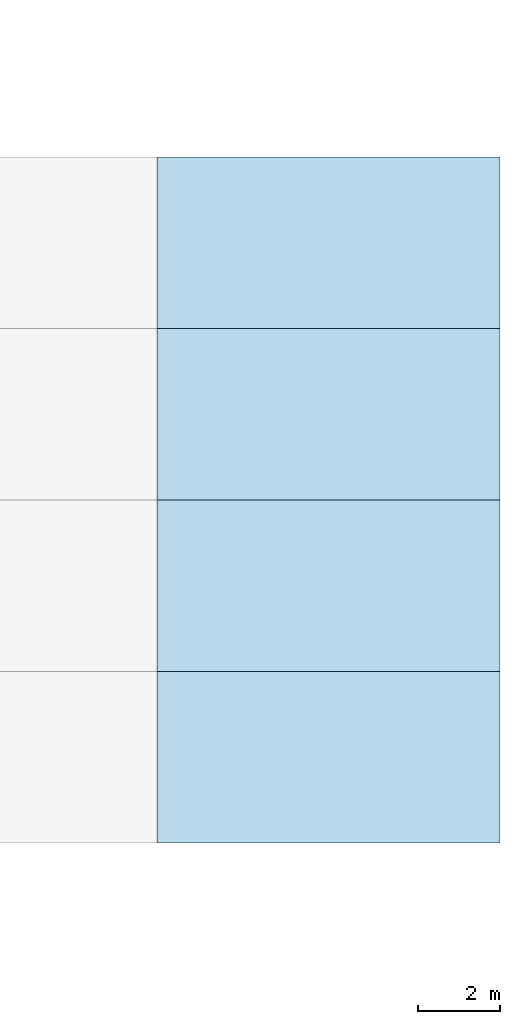
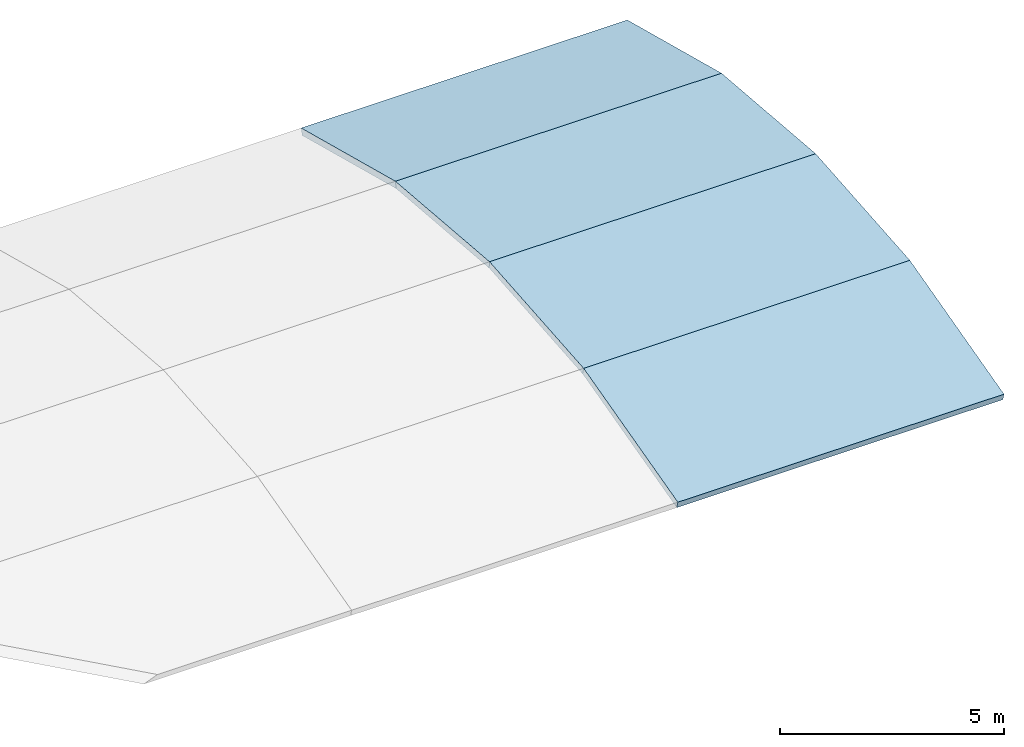
# One storey, part 10 of 12: 4 slabs.
"""IFC4 building model written with IfcOpenShell, lengths in metres."""

from ifc_helpers import new_model, si_unit, direction, frame, origin, place, context, subcontext, project, spatial, polyline, outline, extrude, material, layer, layer_set, type_object, element, save


model = new_model("IFC4")

# Units and contexts
model_context = context("Model", 3, precision=1e-05, world=origin(), true_north=direction((0.0, 1.0)))
body_context = subcontext(model_context, "Body", "Model", "MODEL_VIEW")
ifc_project = project(units=[si_unit("LENGTHUNIT", "METRE"), si_unit("AREAUNIT", "SQUARE_METRE"), si_unit("VOLUMEUNIT", "CUBIC_METRE"), si_unit("PLANEANGLEUNIT", "RADIAN"), si_unit("MASSUNIT", "GRAM", prefix="KILO")], contexts=[model_context])

# Site, building, storey
site_placement = place(None, origin())
site = spatial("IfcSite", under=ifc_project, at=site_placement, CompositionType="ELEMENT")
building_placement = place(site_placement, origin())
building = spatial("IfcBuilding", under=site, at=building_placement, Name="Varnapada Polytechnic", CompositionType="ELEMENT")
storey_placement = place(building_placement, frame((0.0, 0.0, 30.60009765625)))
storey = spatial("IfcBuildingStorey", under=building, at=storey_placement, Name="Roof", CompositionType="ELEMENT", Elevation=30.60009765625)

# Slabs
ifc_material = material(Name="Steel S355", Category="steel")
ifc_layer = layer(ifc_material, 0.179931640625)
ifc_layer_set = layer_set([ifc_layer], Name="Steel S355")
slab_type = type_object("IfcSlabType", Name="Vaulted space frame insulated standing-seam roof deck RS-01", PredefinedType="ROOF", material=ifc_layer_set)
slab_1_placement = place(storey_placement, frame((126.0, 96.60009765625, 0.326904296875), z_axis=(0.0, -0.252909507267, 0.967489938518), x_axis=(1.0, 0.0, 0.0)))
element("IfcSlab", 1, at=slab_1_placement, inside=storey, type_object=slab_type, Name="Workshop barrel vault roof slab 10.4", PredefinedType="ROOF", context=body_context, shape_type="SweptSolid", body=[
    extrude(outline(polyline([(0.0, 0.0), (8.39990234375, 0.0), (8.39990234375, 4.341079947878029), (0.0, 4.341079947878029), (0.0, 0.0)])), origin(), (0.0, 0.0, -1.0), 0.179931640625),
])
for number, where, z_axis, x_axis, name in (
    (2, (126.0, 100.800048828125, 1.4248046875), (0.0, -0.084334880753, 0.996437468128), (1.0, 0.0, 0.0), "Workshop barrel vault roof slab 10.5"),
    (3, (126.0, 105.0, 1.7802734375), (0.0, 0.084334880753, 0.996437468128), (1.0, 0.0, 0.0), "Workshop barrel vault roof slab 10.6"),
):
    element("IfcSlab", number, at=place(storey_placement, frame(where, z_axis=z_axis, x_axis=x_axis)), inside=storey, type_object=slab_type, Name=name, PredefinedType="ROOF", context=body_context, shape_type="SweptSolid", body=[
        extrude(outline(polyline([(0.0, 0.0), (8.39990234375, 0.0), (8.39990234375, 4.214967126604993), (0.0, 4.214967126604993), (0.0, 0.0)])), origin(), (0.0, 0.0, -1.0), 0.179931640625),
    ])
slab_2_placement = place(storey_placement, frame((126.0, 109.199951171875, 1.4248046875), z_axis=(0.0, 0.252909507267, 0.967489938518), x_axis=(1.0, 0.0, 0.0)))
element("IfcSlab", 4, at=slab_2_placement, inside=storey, type_object=slab_type, Name="Workshop barrel vault roof slab 10.7", PredefinedType="ROOF", context=body_context, shape_type="SweptSolid", body=[
    extrude(outline(polyline([(0.0, 0.0), (8.39990234375, 0.0), (8.39990234375, 4.341079947878029), (0.0, 4.341079947878029), (0.0, 0.0)])), origin(), (0.0, 0.0, -1.0), 0.179931640625),
])

save(model, "model.ifc")
